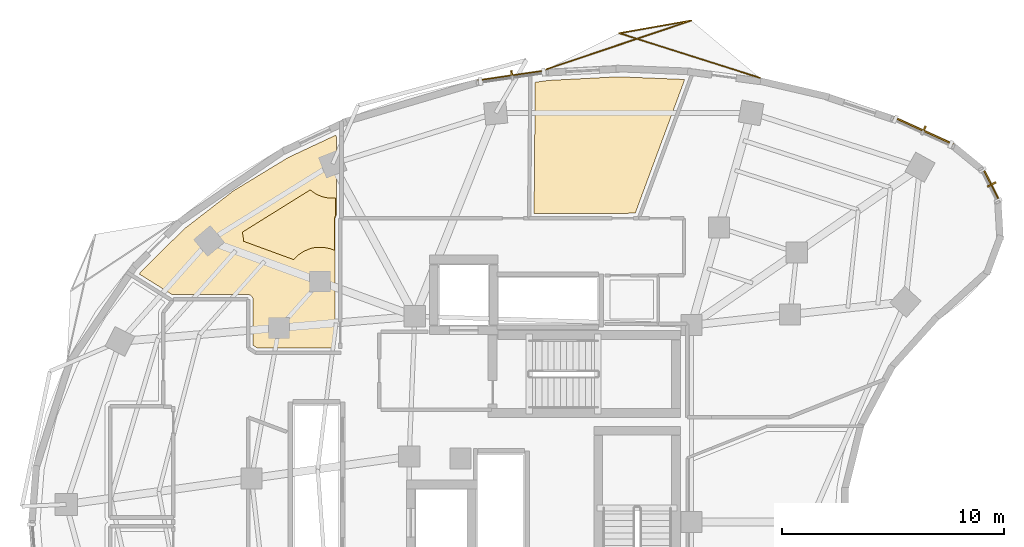
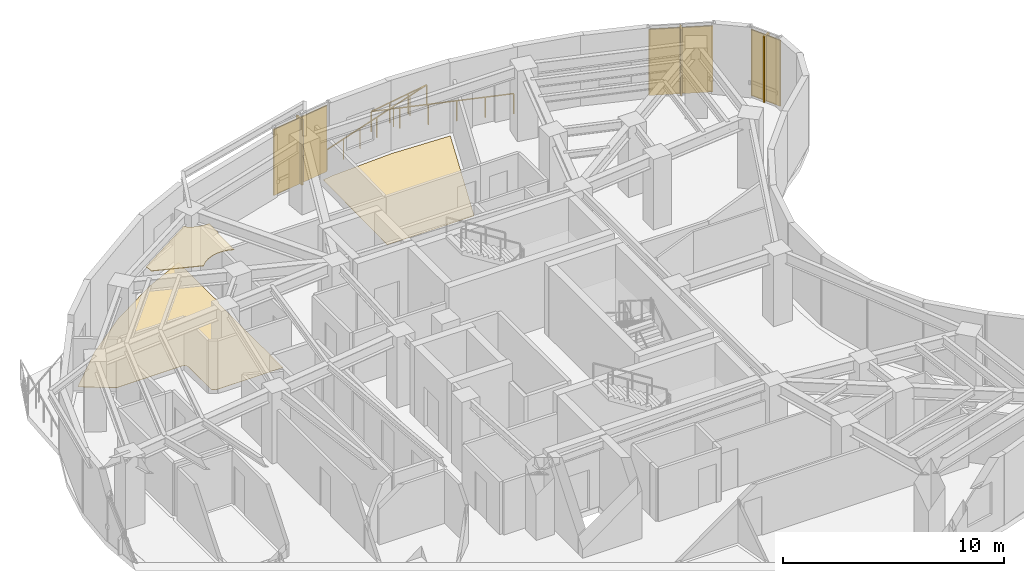
# One storey, part 13 of 13: 6 shading devices, 3 coverings, 1 railing.
"""IFC4 building model written with IfcOpenShell, lengths in metres."""

from ifc_helpers import new_model, si_unit, direction, frame, origin, origin_2d, place, context, subcontext, project, spatial, polyline, rectangle, outline, extrude, material, layer, layer_set, type_object, element, save


model = new_model("IFC4")

# Units and contexts
model_context = context("Model", 3, precision=1e-05, world=origin(), true_north=direction((0.0, 1.0)))
body_context = subcontext(model_context, "Body", "Model", "MODEL_VIEW")
ifc_project = project(units=[si_unit("LENGTHUNIT", "METRE"), si_unit("AREAUNIT", "SQUARE_METRE"), si_unit("VOLUMEUNIT", "CUBIC_METRE"), si_unit("PLANEANGLEUNIT", "RADIAN"), si_unit("MASSUNIT", "GRAM", prefix="KILO")], contexts=[model_context])

# Site, building, storey
site_placement = place(None, origin())
site = spatial("IfcSite", under=ifc_project, at=site_placement, CompositionType="ELEMENT")
building_placement = place(site_placement, origin())
building = spatial("IfcBuilding", under=site, at=building_placement, Name="Korentha Bioscience Tower", CompositionType="ELEMENT")
storey_placement = place(building_placement, frame((0.0, 0.0, 183.60009765625)))
storey = spatial("IfcBuildingStorey", under=building, at=storey_placement, Name="L42", CompositionType="ELEMENT", Elevation=183.60009765625)

# Railing
ifc_material_1 = material(Name="Laminated Tempered Safety Glass", Category="glass")
railing_type = type_object("IfcRailingType", Name="Laminated Glass Balcony Guardrail 1150", PredefinedType="BALUSTRADE", material=ifc_material_1)
railing_placement = place(storey_placement, frame((40.608154296875, 46.978515625, 0.0)))
element("IfcRailing", 1, at=railing_placement, inside=storey, type_object=railing_type, Name="L42 Balcony Guardrail 01", PredefinedType="BALUSTRADE", context=body_context, shape_type="SweptSolid", body=[
    extrude(rectangle(XDim=0.048095703125, YDim=0.048095703125, at=origin_2d()), frame((0.0, 0.0, 1.1259765625), z_axis=(-0.953172040784, 0.302428604249, 0.0), x_axis=(-0.302428604249, -0.953172040784, 0.0)), (0.0, 0.0, 1.0), 6.618896484375),
    extrude(rectangle(XDim=0.048095703125, YDim=0.048095703125, at=origin_2d()), frame((-6.308837890625, 2.001708984375, 1.1259765625), z_axis=(0.984798526591, 0.173700495176, 0.0), x_axis=(-0.173700495176, 0.984798526591, 0.0)), (0.0, 0.0, 1.0), 3.283203125),
    extrude(rectangle(XDim=0.048095703125, YDim=0.048095703125, at=origin_2d()), frame((-3.075439453125, 2.572021484375, 1.1259765625), z_axis=(-0.947727750915, -0.319080099891, 0.0), x_axis=(0.319080099891, -0.947727750915, 0.0)), (0.0, 0.0, 1.0), 6.8525390625),
    extrude(rectangle(XDim=0.0419921875, YDim=0.0419921875, at=origin_2d()), origin(), (0.0, 0.0, 1.0), 1.101806640625),
    extrude(rectangle(XDim=0.0419921875, YDim=0.0419921875, at=origin_2d()), frame((-1.26171875, 0.400390625, 0.0)), (0.0, 0.0, 1.0), 1.101806640625),
    extrude(rectangle(XDim=0.0419921875, YDim=0.0419921875, at=origin_2d()), frame((-2.5234375, 0.80078125, 0.0)), (0.0, 0.0, 1.0), 1.101806640625),
    extrude(rectangle(XDim=0.0419921875, YDim=0.0419921875, at=origin_2d()), frame((-3.785400390625, 1.200927734375, 0.0)), (0.0, 0.0, 1.0), 1.101806640625),
    extrude(rectangle(XDim=0.0419921875, YDim=0.0419921875, at=origin_2d()), frame((-5.047119140625, 1.601318359375, 0.0)), (0.0, 0.0, 1.0), 1.101806640625),
    extrude(rectangle(XDim=0.0419921875, YDim=0.0419921875, at=origin_2d()), frame((-6.308837890625, 2.001708984375, 0.0)), (0.0, 0.0, 1.0), 1.101806640625),
    extrude(rectangle(XDim=0.0419921875, YDim=0.0419921875, at=origin_2d()), frame((-5.23095703125, 2.19189453125, 0.0)), (0.0, 0.0, 1.0), 1.101806640625),
    extrude(rectangle(XDim=0.0419921875, YDim=0.0419921875, at=origin_2d()), frame((-4.1533203125, 2.3818359375, 0.0)), (0.0, 0.0, 1.0), 1.101806640625),
    extrude(rectangle(XDim=0.0419921875, YDim=0.0419921875, at=origin_2d()), frame((-3.075439453125, 2.572021484375, 0.0)), (0.0, 0.0, 1.0), 1.101806640625),
    extrude(rectangle(XDim=0.0419921875, YDim=0.0419921875, at=origin_2d()), frame((-4.15771484375, 2.20751953125, 0.0)), (0.0, 0.0, 1.0), 1.101806640625),
    extrude(rectangle(XDim=0.0419921875, YDim=0.0419921875, at=origin_2d()), frame((-5.240234375, 1.84326171875, 0.0)), (0.0, 0.0, 1.0), 1.101806640625),
    extrude(rectangle(XDim=0.0419921875, YDim=0.0419921875, at=origin_2d()), frame((-6.32275390625, 1.478759765625, 0.0)), (0.0, 0.0, 1.0), 1.101806640625),
    extrude(rectangle(XDim=0.0419921875, YDim=0.0419921875, at=origin_2d()), frame((-7.405029296875, 1.1142578125, 0.0)), (0.0, 0.0, 1.0), 1.101806640625),
    extrude(rectangle(XDim=0.0419921875, YDim=0.0419921875, at=origin_2d()), frame((-8.4873046875, 0.75, 0.0)), (0.0, 0.0, 1.0), 1.101806640625),
    extrude(rectangle(XDim=0.0419921875, YDim=0.0419921875, at=origin_2d()), frame((-9.56982421875, 0.385498046875, 0.0)), (0.0, 0.0, 1.0), 1.101806640625),
])

# Covering
ifc_material_2 = material(Name="Antimicrobial Mineral Fibre Board", Category="gypsum")
ifc_layer_1 = layer(ifc_material_2, 0.034912109375, Name="Antimicrobial Mineral Fibre Board")
ifc_layer_set_1 = layer_set([ifc_layer_1], Name="Antimicrobial Mineral Fibre Board (CL-MF35)")
covering_type_1 = type_object("IfcCoveringType", Name="Mineral-Fibre Cleanroom Suspended Ceiling 35", PredefinedType="CEILING", material=ifc_layer_set_1)
covering_1_placement = place(storey_placement, frame((0.0, 0.0, 3.864990234375)))
element("IfcCovering", 2, at=covering_1_placement, inside=storey, type_object=covering_type_1, Name="L42 Automated High-Throughput Assay Lab 09 Acoustic Ceiling", PredefinedType="CEILING", context=body_context, shape_type="SweptSolid", body=[
    extrude(outline(polyline([(21.54150390625, 40.805419921875), (21.490234375, 40.662353515625), (21.489990234375, 39.214111328125), (21.2919921875, 39.291259765625), (20.994140625, 39.350341796875), (20.690185546875, 39.350341796875), (20.539794921875, 39.328125), (20.392333984375, 39.291259765625), (20.111572265625, 39.1748046875), (19.85888671875, 39.006103515625), (19.64990234375, 38.7978515625), (17.393310546875, 39.62353515625), (17.386474609375, 39.788818359375), (17.341552734375, 40.029296875), (20.393310546875, 41.930908203125), (20.6748046875, 41.73583984375), (20.955810546875, 41.619384765625), (21.253662109375, 41.560302734375), (21.5419921875, 41.5595703125), (21.54150390625, 40.805419921875)])), origin(), (0.0, 0.0, 1.0), 0.034912109375),
])

# Shading devices
ifc_material_3 = material(Name="Perforated Stone-Ceramic Composite", Category="masonry")
ifc_layer_2 = layer(ifc_material_3, 0.06494140625, Name="Perforated Stone-Ceramic Composite")
ifc_layer_set_2 = layer_set([ifc_layer_2], Name="Perforated Stone-Ceramic Composite (CS-01)")
shading_device_type_1 = type_object("IfcShadingDeviceType", Name="Perforated Stone-Ceramic Solar Screen Panel 65", PredefinedType="USERDEFINED", material=ifc_layer_set_2)
shading_device_1_placement = place(storey_placement, frame((47.978271484375, 44.59423828125, 0.0), z_axis=(0.0, 0.0, 1.0), x_axis=(-0.910644398392, 0.413190972406, 0.0)))
element("IfcShadingDevice", 3, at=shading_device_1_placement, inside=storey, type_object=shading_device_type_1, Name="CW-L42-01 Perforated Stone-Ceramic Solar Screen", ObjectType="SCREEN", PredefinedType="USERDEFINED", context=body_context, shape_type="SweptSolid", body=[
    extrude(rectangle(XDim=2.935302734375, YDim=0.06494140625, at=origin_2d()), origin(), (0.0, 0.0, 1.0), 3.64990234375),
])
shading_device_2_placement = place(storey_placement, frame((29.470703125, 47.073974609375, 0.0), z_axis=(0.0, 0.0, 1.0), x_axis=(-0.989461919888, -0.144793332342, 0.0)))
element("IfcShadingDevice", 4, at=shading_device_2_placement, inside=storey, type_object=shading_device_type_1, Name="CW-L42-07 Perforated Stone-Ceramic Solar Screen", ObjectType="SCREEN", PredefinedType="USERDEFINED", context=body_context, shape_type="SweptSolid", body=[
    extrude(rectangle(XDim=3.086669921875, YDim=0.06494140625, at=origin_2d()), origin(), (0.0, 0.0, 1.0), 3.64990234375),
])
shading_device_3_placement = place(storey_placement, frame((51.02587890625, 42.170166015625, 0.0), z_axis=(0.0, 0.0, 1.0), x_axis=(-0.45428845847, 0.890854643868, 0.0)))
element("IfcShadingDevice", 5, at=shading_device_3_placement, inside=storey, type_object=shading_device_type_1, Name="CW-L42-61 Perforated Stone-Ceramic Solar Screen", ObjectType="SCREEN", PredefinedType="USERDEFINED", context=body_context, shape_type="SweptSolid", body=[
    extrude(rectangle(XDim=1.591796875, YDim=0.06494140625, at=origin_2d()), origin(), (0.0, 0.0, 1.0), 3.64990234375),
])

# Coverings
ifc_material_4 = material(Name="Chemical-Resistant Epoxy Resin", Category="polymer")
ifc_layer_3 = layer(ifc_material_4, 0.011962890625, Name="Chemical-Resistant Epoxy Resin")
ifc_layer_set_3 = layer_set([ifc_layer_3], Name="Chemical-Resistant Epoxy Resin (FL-EPX)")
covering_type_2 = type_object("IfcCoveringType", Name="Seamless Epoxy Laboratory Flooring 12", PredefinedType="FLOORING", material=ifc_layer_set_3)
covering_2_placement = place(storey_placement, origin())
element("IfcCovering", 6, at=covering_2_placement, inside=storey, type_object=covering_type_2, Name="L42 Staff Tea and Espresso Break Lounge 07 Floor Finish", PredefinedType="FLOORING", context=body_context, shape_type="SweptSolid", body=[
    extrude(outline(polyline([(37.238525390625, 46.900146484375), (35.012939453125, 40.88330078125), (30.46337890625, 40.880126953125), (30.514892578125, 46.772216796875), (31.088623046875, 46.85595703125), (34.243896484375, 47.02099609375), (37.238525390625, 46.900146484375)])), origin(), (0.0, 0.0, 1.0), 0.011962890625),
])
covering_3_placement = place(storey_placement, origin())
element("IfcCovering", 7, at=covering_3_placement, inside=storey, type_object=covering_type_2, Name="L42 Automated High-Throughput Assay Lab 09 Floor Finish", PredefinedType="FLOORING", context=body_context, shape_type="SweptSolid", body=[
    extrude(outline(polyline([(12.705322265625, 38.15087890625), (12.801025390625, 38.273193359375), (14.72705078125, 40.17578125), (16.94091796875, 41.890625), (19.41064453125, 43.3916015625), (21.541015625, 44.392822265625), (21.572021484375, 44.328125), (21.572021484375, 40.795166015625), (21.53369140625, 40.727783203125), (21.52001953125, 40.64990234375), (21.52001953125, 34.830078125), (18.0087890625, 34.830078125), (17.830078125, 34.941650390625), (17.82958984375, 37.01171875), (17.797119140625, 37.11865234375), (17.71875, 37.197021484375), (17.60009765625, 37.22998046875), (14.193359375, 37.22119140625), (12.705322265625, 38.15087890625)])), origin(), (0.0, 0.0, 1.0), 0.011962890625),
])

# Shading devices
ifc_material_5 = material(Name="Honed Travertine Limestone", Category="masonry")
ifc_layer_4 = layer(ifc_material_5, 0.080078125, Name="Honed Travertine Limestone")
ifc_layer_set_4 = layer_set([ifc_layer_4], Name="Honed Travertine Limestone (CS-02)")
shading_device_type_2 = type_object("IfcShadingDeviceType", Name="Vertical Honed Limestone Sunshade Fin 80x420", PredefinedType="USERDEFINED", material=ifc_layer_set_4)
for number, where, z_axis, x_axis, name in (
    (8, (47.986572265625, 44.612548828125, 0.0), (0.0, 0.0, 1.0), (-0.910644398392, 0.413190972406, 0.0), "CW-L42-01 Limestone Sunshade Fin"),
    (9, (29.4677734375, 47.09375, 0.0), (0.0, 0.0, 1.0), (-0.989461919888, -0.144793332342, 0.0), "CW-L42-07 Limestone Sunshade Fin"),
    (10, (51.043701171875, 42.17919921875, 0.0), (0.0, 0.0, 1.0), (-0.45428845847, 0.890854643868, 0.0), "CW-L42-61 Limestone Sunshade Fin"),
):
    element("IfcShadingDevice", number, at=place(storey_placement, frame(where, z_axis=z_axis, x_axis=x_axis)), inside=storey, type_object=shading_device_type_2, Name=name, ObjectType="SCREEN", PredefinedType="USERDEFINED", context=body_context, shape_type="SweptSolid", body=[
        extrude(rectangle(XDim=0.080078125, YDim=0.419921875, at=origin_2d()), origin(), (0.0, 0.0, 1.0), 3.64990234375),
    ])

save(model, "model.ifc")
